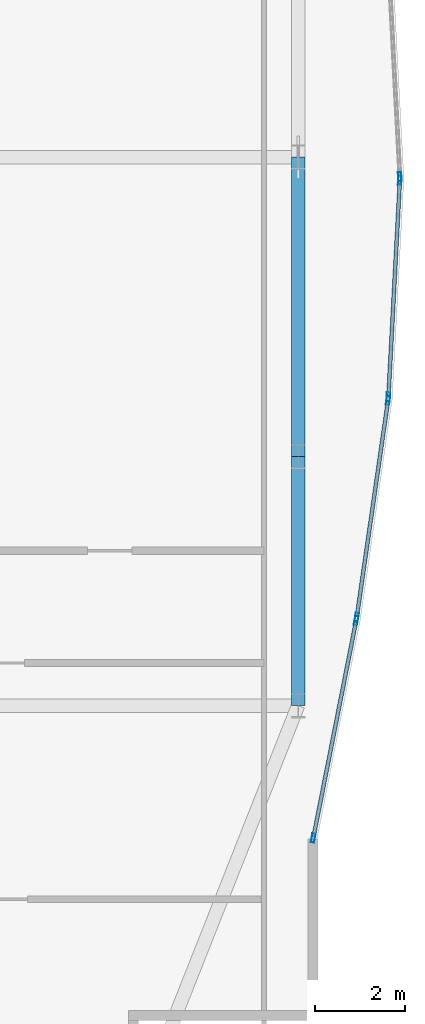
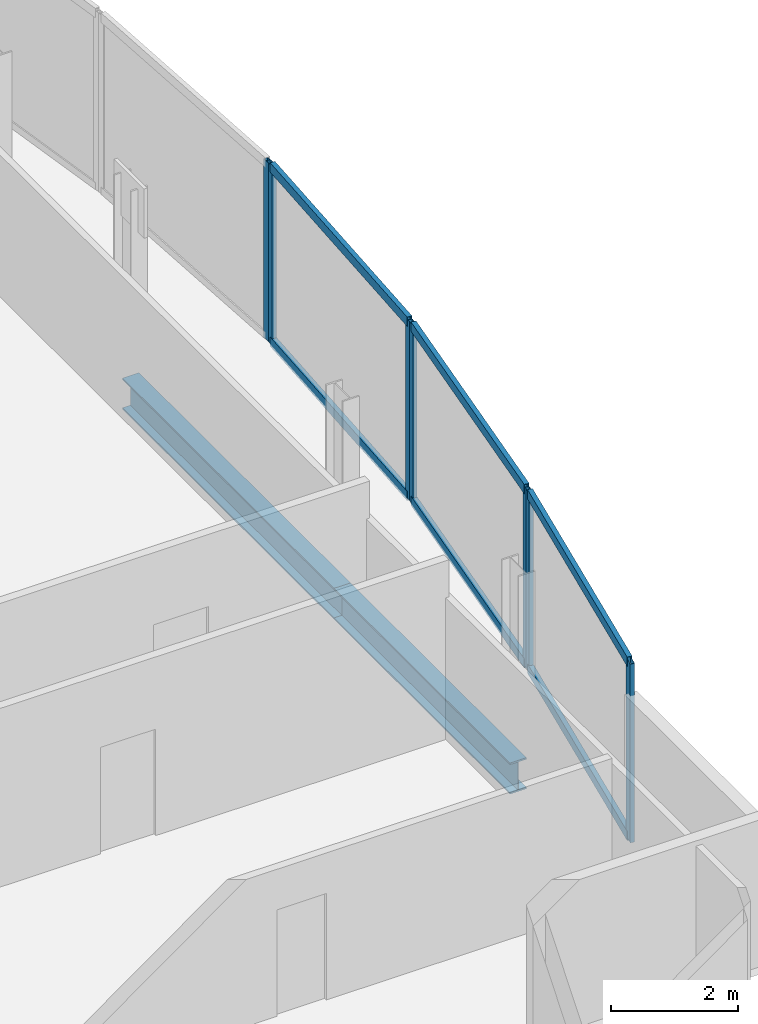
# One storey, part 21 of 29: 13 members, 2 beams, 4 elements without a shape of their own.
"""IFC4 building model written with IfcOpenShell, lengths in metres."""

from ifc_helpers import new_model, si_unit, direction, frame, origin, origin_2d, place, context, subcontext, project, spatial, hollow_rectangle, i_section, extrude, material, material_profile, profile_set, type_object, element, aggregate, save


model = new_model("IFC4")

# Units and contexts
model_context = context("Model", 3, precision=1e-05, world=origin(), true_north=direction((0.0, 1.0)))
body_context = subcontext(model_context, "Body", "Model", "MODEL_VIEW")
ifc_project = project(units=[si_unit("LENGTHUNIT", "METRE"), si_unit("AREAUNIT", "SQUARE_METRE"), si_unit("VOLUMEUNIT", "CUBIC_METRE"), si_unit("PLANEANGLEUNIT", "RADIAN"), si_unit("MASSUNIT", "GRAM", prefix="KILO")], contexts=[model_context])

# Site, building, storey
site_placement = place(None, origin())
site = spatial("IfcSite", under=ifc_project, at=site_placement, CompositionType="ELEMENT")
building_placement = place(site_placement, origin())
building = spatial("IfcBuilding", under=site, at=building_placement, Name="Khoronbel Lancet Exchange", CompositionType="ELEMENT")
storey_placement = place(building_placement, frame((0.0, 0.0, 154.199951171875)))
storey = spatial("IfcBuildingStorey", under=building, at=storey_placement, Name="L38", CompositionType="ELEMENT", Elevation=154.199951171875)

# Beams
ifc_material_1 = material(Name="Steel S355", Category="steel")
ifc_material_profile_1 = material_profile(ifc_material_1, i_section(OverallWidth=0.300048828125, OverallDepth=0.60009765625, WebThickness=0.015380859375, FlangeThickness=0.030029296875, at=origin_2d()), Name="HEB 600")
ifc_profile_set_1 = profile_set([ifc_material_profile_1], Name="Steel S355")
beam_type = type_object("IfcBeamType", Name="BM-BSP2", PredefinedType="SPANDREL", material=ifc_profile_set_1)
beam_1_placement = place(storey_placement, frame((67.6298828125, 19.199951171875, -0.4599609375), z_axis=(0.0, 1.0, 0.0), x_axis=(-1.0, 0.0, 0.0)))
element("IfcBeam", 1, at=beam_1_placement, inside=storey, type_object=beam_type, Name="Level L38 perimeter spandrel beam SP11", PredefinedType="SPANDREL", context=body_context, shape_type="SweptSolid", body=[
    extrude(i_section(OverallWidth=0.300048828125, OverallDepth=0.60009765625, WebThickness=0.015380859375, FlangeThickness=0.030029296875, at=origin_2d()), origin(), (0.0, 0.0, 1.0), 5.550048828125),
])
beam_2_placement = place(storey_placement, frame((67.6298828125, 24.75, -0.4599609375), z_axis=(0.0, 1.0, 0.0), x_axis=(-1.0, 0.0, 0.0)))
element("IfcBeam", 2, at=beam_2_placement, inside=storey, type_object=beam_type, Name="Level L38 perimeter spandrel beam SP12", PredefinedType="SPANDREL", context=body_context, shape_type="SweptSolid", body=[
    extrude(i_section(OverallWidth=0.300048828125, OverallDepth=0.60009765625, WebThickness=0.015380859375, FlangeThickness=0.030029296875, at=origin_2d()), origin(), (0.0, 0.0, 1.0), 6.675048828125),
])

# Curtain wall, member
ifc_material_2 = material(Name="Low-E Solar Control Insulating Glass", Category="glass")
curtain_wall_type = type_object("IfcCurtainWallType", Name="CW-4", PredefinedType="NOTDEFINED", material=ifc_material_2)
curtain_wall_1_placement = place(storey_placement, origin())
curtain_wall_1 = element("IfcCurtainWall", 3, at=curtain_wall_1_placement, inside=storey, type_object=curtain_wall_type, Name="Unitised curtain wall CW-L38-E19", PredefinedType="NOTDEFINED")
ifc_material_3 = material(Name="Bronze-Anodised Aluminium 6063-T6", Category="aluminium")
ifc_material_profile_2 = material_profile(ifc_material_3, hollow_rectangle(XDim=0.074951171875, YDim=0.199951171875, WallThickness=0.0048828125, at=origin_2d()), Name="ALU MULLION 75x200")
ifc_profile_set_2 = profile_set([ifc_material_profile_2], Name="Bronze-Anodised Aluminium 6063-T6")
member_type_1 = type_object("IfcMemberType", Name="MEM-CWM2", PredefinedType="MULLION", material=ifc_profile_set_2)
member_1_placement = place(storey_placement, frame((69.897705078125, 30.987548828125, 0.0), z_axis=(0.0, 0.0, 1.0), x_axis=(0.998605097412, 0.052800183936, 0.0)))
member_1 = element("IfcMember", 4, at=member_1_placement, type_object=member_type_1, Name="CW4 mullion 2", PredefinedType="MULLION", context=body_context, shape_type="SweptSolid", body=[
    extrude(hollow_rectangle(XDim=0.074951171875, YDim=0.199951171875, WallThickness=0.0048828125, at=origin_2d()), origin(), (0.0, 0.0, 1.0), 3.43994140625),
])
aggregate(curtain_wall_1, [member_1])

# Curtain wall, members
curtain_wall_2_placement = place(storey_placement, origin())
curtain_wall_2 = element("IfcCurtainWall", 5, at=curtain_wall_2_placement, inside=storey, type_object=curtain_wall_type, Name="Unitised curtain wall CW-L38-E20", PredefinedType="NOTDEFINED")
member_2_placement = place(storey_placement, frame((69.897705078125, 30.91259765625, 0.0), z_axis=(0.0, 0.0, 1.0), x_axis=(0.998605097412, -0.052800183936, 0.0)))
member_2 = element("IfcMember", 6, at=member_2_placement, type_object=member_type_1, Name="CW4 mullion 1", PredefinedType="MULLION", context=body_context, shape_type="SweptSolid", body=[
    extrude(hollow_rectangle(XDim=0.074951171875, YDim=0.199951171875, WallThickness=0.0048828125, at=origin_2d()), origin(), (0.0, 0.0, 1.0), 3.43994140625),
])
member_3_placement = place(storey_placement, frame((69.642333984375, 26.07958984375, 0.0), z_axis=(0.0, 0.0, 1.0), x_axis=(0.998605097412, -0.052800183936, 0.0)))
member_3 = element("IfcMember", 7, at=member_3_placement, type_object=member_type_1, Name="CW4 mullion 2", PredefinedType="MULLION", context=body_context, shape_type="SweptSolid", body=[
    extrude(hollow_rectangle(XDim=0.074951171875, YDim=0.199951171875, WallThickness=0.0048828125, at=origin_2d()), origin(), (0.0, 0.0, 1.0), 3.43994140625),
])

curtain_wall_3_placement = place(storey_placement, origin())
curtain_wall_3 = element("IfcCurtainWall", 8, at=curtain_wall_3_placement, inside=storey, type_object=curtain_wall_type, Name="Unitised curtain wall CW-L38-E21", PredefinedType="NOTDEFINED")
member_4_placement = place(storey_placement, frame((69.635009765625, 26.0048828125, 0.0), z_axis=(0.0, 0.0, 1.0), x_axis=(0.989732666103, -0.142930926147, 0.0)))
member_4 = element("IfcMember", 9, at=member_4_placement, type_object=member_type_1, Name="CW4 mullion 1", PredefinedType="MULLION", context=body_context, shape_type="SweptSolid", body=[
    extrude(hollow_rectangle(XDim=0.074951171875, YDim=0.199951171875, WallThickness=0.0048828125, at=origin_2d()), origin(), (0.0, 0.0, 1.0), 3.43994140625),
])
member_5_placement = place(storey_placement, frame((68.9365234375, 21.1689453125, 0.0), z_axis=(0.0, 0.0, 1.0), x_axis=(0.989732666103, -0.142930926147, 0.0)))
member_5 = element("IfcMember", 10, at=member_5_placement, type_object=member_type_1, Name="CW4 mullion 2", PredefinedType="MULLION", context=body_context, shape_type="SweptSolid", body=[
    extrude(hollow_rectangle(XDim=0.074951171875, YDim=0.199951171875, WallThickness=0.0048828125, at=origin_2d()), origin(), (0.0, 0.0, 1.0), 3.43994140625),
])

curtain_wall_4_placement = place(storey_placement, origin())
curtain_wall_4 = element("IfcCurtainWall", 11, at=curtain_wall_4_placement, inside=storey, type_object=curtain_wall_type, Name="Unitised curtain wall CW-L38-E22", PredefinedType="NOTDEFINED")
member_6_placement = place(storey_placement, frame((68.923828125, 21.09521484375, 0.0), z_axis=(0.0, 0.0, 1.0), x_axis=(0.981091608053, -0.193543939735, 0.0)))
member_6 = element("IfcMember", 12, at=member_6_placement, type_object=member_type_1, Name="CW4 mullion 1", PredefinedType="MULLION", context=body_context, shape_type="SweptSolid", body=[
    extrude(hollow_rectangle(XDim=0.074951171875, YDim=0.199951171875, WallThickness=0.0048828125, at=origin_2d()), origin(), (0.0, 0.0, 1.0), 3.43994140625),
])
member_7_placement = place(storey_placement, frame((67.96728515625, 16.24560546875, 0.0), z_axis=(0.0, 0.0, 1.0), x_axis=(0.981091608053, -0.193543939735, 0.0)))
member_7 = element("IfcMember", 13, at=member_7_placement, type_object=member_type_1, Name="CW4 mullion 2", PredefinedType="MULLION", context=body_context, shape_type="SweptSolid", body=[
    extrude(hollow_rectangle(XDim=0.074951171875, YDim=0.199951171875, WallThickness=0.0048828125, at=origin_2d()), origin(), (0.0, 0.0, 1.0), 3.43994140625),
])

# Member
ifc_material_profile_3 = material_profile(ifc_material_3, hollow_rectangle(XDim=0.0849609375, YDim=0.179931640625, WallThickness=0.0048828125, at=origin_2d()), Name="ALU TRANSOM 85x180")
ifc_profile_set_3 = profile_set([ifc_material_profile_3], Name="Bronze-Anodised Aluminium 6063-T6")
member_type_2 = type_object("IfcMemberType", Name="MEM-CWT1", PredefinedType="USERDEFINED", material=ifc_profile_set_3)
member_8_placement = place(storey_placement, frame((69.895751953125, 30.875, 0.04248046875), z_axis=(-0.05277667046, -0.998606340384, 0.0), x_axis=(0.998606340384, -0.05277667046, 0.0)))
member_8 = element("IfcMember", 14, at=member_8_placement, type_object=member_type_2, Name="CW4 transom 1.1", ObjectType="TRANSOM", PredefinedType="USERDEFINED", context=body_context, shape_type="SweptSolid", body=[
    extrude(hollow_rectangle(XDim=0.0849609375, YDim=0.179931640625, WallThickness=0.0048828125, at=origin_2d()), origin(), (0.0, 0.0, 1.0), 4.7646484375),
])

member_9_placement = place(storey_placement, frame((69.895751953125, 30.875, 3.3974609375), z_axis=(-0.05277667046, -0.998606340384, 0.0), x_axis=(0.998606340384, -0.05277667046, 0.0)))
member_9 = element("IfcMember", 15, at=member_9_placement, type_object=member_type_2, Name="CW4 transom 1.2", ObjectType="TRANSOM", PredefinedType="USERDEFINED", context=body_context, shape_type="SweptSolid", body=[
    extrude(hollow_rectangle(XDim=0.0849609375, YDim=0.179931640625, WallThickness=0.0048828125, at=origin_2d()), origin(), (0.0, 0.0, 1.0), 4.7646484375),
])

aggregate(curtain_wall_2, [member_2, member_3, member_8, member_9])

member_10_placement = place(storey_placement, frame((69.629638671875, 25.9677734375, 0.04248046875), z_axis=(-0.142948611833, -0.989730111887, 0.0), x_axis=(0.989730111887, -0.142948611833, 0.0)))
member_10 = element("IfcMember", 16, at=member_10_placement, type_object=member_type_2, Name="CW4 transom 1.1", ObjectType="TRANSOM", PredefinedType="USERDEFINED", context=body_context, shape_type="SweptSolid", body=[
    extrude(hollow_rectangle(XDim=0.0849609375, YDim=0.179931640625, WallThickness=0.0048828125, at=origin_2d()), origin(), (0.0, 0.0, 1.0), 4.81103515625),
])

member_11_placement = place(storey_placement, frame((69.629638671875, 25.9677734375, 3.3974609375), z_axis=(-0.142948611833, -0.989730111887, 0.0), x_axis=(0.989730111887, -0.142948611833, 0.0)))
member_11 = element("IfcMember", 17, at=member_11_placement, type_object=member_type_2, Name="CW4 transom 1.2", ObjectType="TRANSOM", PredefinedType="USERDEFINED", context=body_context, shape_type="SweptSolid", body=[
    extrude(hollow_rectangle(XDim=0.0849609375, YDim=0.179931640625, WallThickness=0.0048828125, at=origin_2d()), origin(), (0.0, 0.0, 1.0), 4.81103515625),
])

aggregate(curtain_wall_3, [member_4, member_5, member_10, member_11])

member_12_placement = place(storey_placement, frame((68.916748046875, 21.058349609375, 0.04248046875), z_axis=(-0.193540296935, -0.981092326676, 0.0), x_axis=(0.981092326676, -0.193540296935, 0.0)))
member_12 = element("IfcMember", 18, at=member_12_placement, type_object=member_type_2, Name="CW4 transom 1.1", ObjectType="TRANSOM", PredefinedType="USERDEFINED", context=body_context, shape_type="SweptSolid", body=[
    extrude(hollow_rectangle(XDim=0.0849609375, YDim=0.179931640625, WallThickness=0.0048828125, at=origin_2d()), origin(), (0.0, 0.0, 1.0), 4.867919921875),
])

member_13_placement = place(storey_placement, frame((68.916748046875, 21.058349609375, 3.3974609375), z_axis=(-0.193540296935, -0.981092326676, 0.0), x_axis=(0.981092326676, -0.193540296935, 0.0)))
member_13 = element("IfcMember", 19, at=member_13_placement, type_object=member_type_2, Name="CW4 transom 1.2", ObjectType="TRANSOM", PredefinedType="USERDEFINED", context=body_context, shape_type="SweptSolid", body=[
    extrude(hollow_rectangle(XDim=0.0849609375, YDim=0.179931640625, WallThickness=0.0048828125, at=origin_2d()), origin(), (0.0, 0.0, 1.0), 4.867919921875),
])

aggregate(curtain_wall_4, [member_6, member_7, member_12, member_13])

save(model, "model.ifc")
